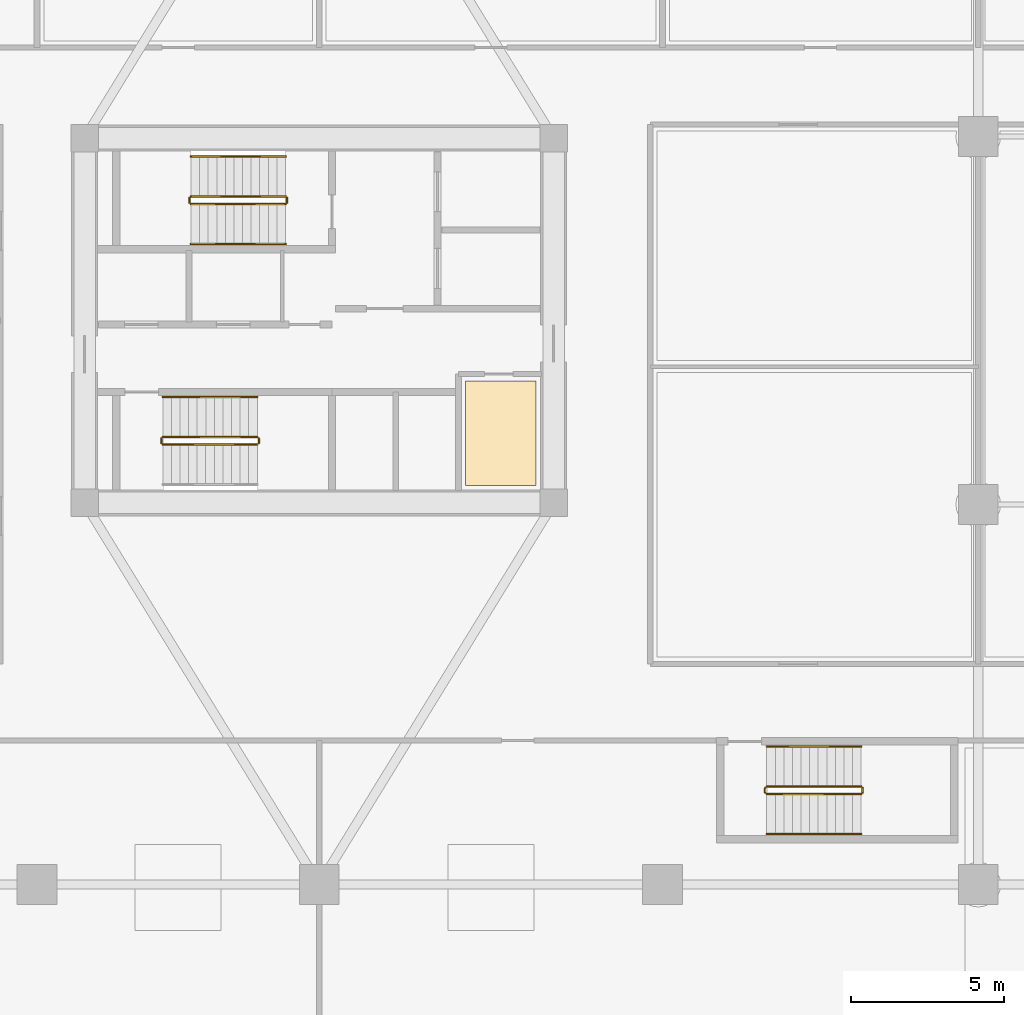
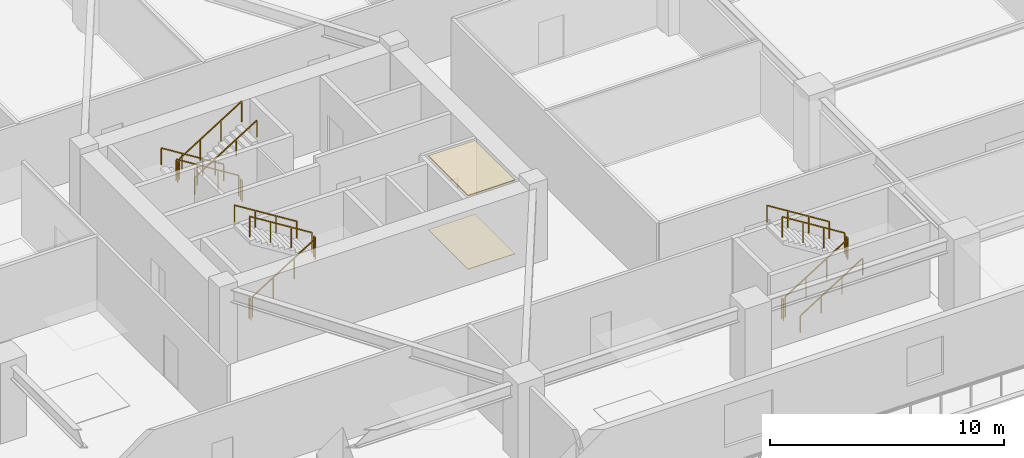
# One storey, part 14 of 22: 17 railings, 2 coverings.
"""IFC4 building model written with IfcOpenShell, lengths in metres."""

from ifc_helpers import new_model, si_unit, direction, frame, origin, origin_2d, place, context, subcontext, project, spatial, polyline, rectangle, outline, extrude, material, layer, layer_set, type_object, element, save


model = new_model("IFC4")

# Units and contexts
model_context = context("Model", 3, precision=1e-05, world=origin(), true_north=direction((0.0, 1.0)))
body_context = subcontext(model_context, "Body", "Model", "MODEL_VIEW")
ifc_project = project(units=[si_unit("LENGTHUNIT", "METRE"), si_unit("AREAUNIT", "SQUARE_METRE"), si_unit("VOLUMEUNIT", "CUBIC_METRE"), si_unit("PLANEANGLEUNIT", "RADIAN"), si_unit("MASSUNIT", "GRAM", prefix="KILO")], contexts=[model_context])

# Site, building, storey
site_placement = place(None, origin())
site = spatial("IfcSite", under=ifc_project, at=site_placement, CompositionType="ELEMENT")
building_placement = place(site_placement, origin())
building = spatial("IfcBuilding", under=site, at=building_placement, Name="Norrkilde Senior Care Towers", CompositionType="ELEMENT")
storey_placement = place(building_placement, frame((0.0, 0.0, 4.199951171875)))
storey = spatial("IfcBuildingStorey", under=building, at=storey_placement, Name="L01", CompositionType="ELEMENT", Elevation=4.199951171875)

# Coverings
ifc_material_1 = material(Name="Nordic Ash Timber", Category="wood")
ifc_layer_1 = layer(ifc_material_1, 0.044921875)
ifc_layer_set_1 = layer_set([ifc_layer_1], Name="Nordic Ash Timber")
covering_type_1 = type_object("IfcCoveringType", Name="Acoustic Ash Timber Slatted Ceiling 45", PredefinedType="CEILING", material=ifc_layer_set_1)
covering_1_placement = place(storey_placement, frame((0.0, 0.0, 3.8349609375)))
element("IfcCovering", 1, at=covering_1_placement, inside=storey, type_object=covering_type_1, Name="L01 Suspended Ceiling 0020", PredefinedType="CEILING", context=body_context, shape_type="SweptSolid", body=[
    extrude(outline(polyline([(-23.22998046875, -1.969970703125), (-20.919921875, -1.969970703125), (-20.919921875, -5.3798828125), (-23.22998046875, -5.3798828125), (-23.22998046875, -1.969970703125)])), origin(), (0.0, 0.0, 1.0), 0.045166015625),
])
ifc_material_2 = material(Name="Slip-Resistant Porcelain Stone", Category="masonry")
ifc_layer_2 = layer(ifc_material_2, 0.02490234375)
ifc_layer_set_2 = layer_set([ifc_layer_2], Name="Slip-Resistant Porcelain Stone")
covering_type_2 = type_object("IfcCoveringType", Name="Slip-Resistant Porcelain Flooring 25", PredefinedType="FLOORING", material=ifc_layer_set_2)
covering_2_placement = place(storey_placement, origin())
element("IfcCovering", 2, at=covering_2_placement, inside=storey, type_object=covering_type_2, Name="L01 Floor Finish 0020", PredefinedType="FLOORING", context=body_context, shape_type="SweptSolid", body=[
    extrude(outline(polyline([(-23.22998046875, -1.969970703125), (-20.919921875, -1.969970703125), (-20.919921875, -5.3798828125), (-23.22998046875, -5.3798828125), (-23.22998046875, -1.969970703125)])), origin(), (0.0, 0.0, 1.0), 0.025146484375),
])

# Railings
ifc_material_3 = material(Name="Stainless Steel", Category="steel")
railing_type_1 = type_object("IfcRailingType", Name="Stair and Terrace Guardrail 1100", PredefinedType="GUARDRAIL", material=ifc_material_3)
railing_1_placement = place(storey_placement, frame((-29.10009765625, 4.050048828125, 0.175048828125)))
element("IfcRailing", 3, at=railing_1_placement, inside=storey, type_object=railing_type_1, Name="L01 ST-W1 stair guard 1", PredefinedType="GUARDRAIL", context=body_context, shape_type="SweptSolid", body=[
    extrude(rectangle(XDim=0.048095703125, YDim=0.048095703125, at=origin_2d()), frame((0.0, 0.0, 1.076171875), z_axis=(-0.847979421464, 0.0, 0.530029150871), x_axis=(0.0, -1.0, 0.0)), (0.0, 0.0, 1.0), 3.632080078125),
    extrude(rectangle(XDim=0.0419921875, YDim=0.0419921875, at=origin_2d()), origin(), (0.0, 0.0, 1.0), 1.050048828125),
    extrude(rectangle(XDim=0.0419921875, YDim=0.0419921875, at=origin_2d()), frame((-1.026611328125, 0.0, 0.6416015625)), (0.0, 0.0, 1.0), 1.050048828125),
    extrude(rectangle(XDim=0.0419921875, YDim=0.0419921875, at=origin_2d()), frame((-2.05322265625, 0.0, 1.283447265625)), (0.0, 0.0, 1.0), 1.050048828125),
    extrude(rectangle(XDim=0.0419921875, YDim=0.0419921875, at=origin_2d()), frame((-3.079833984375, 0.0, 1.925048828125)), (0.0, 0.0, 1.0), 1.050048828125),
])
railing_2_placement = place(storey_placement, frame((-32.22998046875, 4.0, 2.10009765625)))
element("IfcRailing", 4, at=railing_2_placement, inside=storey, type_object=railing_type_1, Name="L01 ST-W1 stair guard 2", PredefinedType="GUARDRAIL", context=body_context, shape_type="SweptSolid", body=[
    extrude(rectangle(XDim=0.048095703125, YDim=0.048095703125, at=origin_2d()), frame((0.0, 0.0, 1.076171875), z_axis=(0.0, -1.0, 0.0), x_axis=(1.0, 0.0, 0.0)), (0.0, 0.0, 1.0), 0.14990234375),
    extrude(rectangle(XDim=0.0419921875, YDim=0.0419921875, at=origin_2d()), origin(), (0.0, 0.0, 1.0), 1.050048828125),
    extrude(rectangle(XDim=0.0419921875, YDim=0.0419921875, at=origin_2d()), frame((0.0, -0.14990234375, 0.0)), (0.0, 0.0, 1.0), 1.050048828125),
])
railing_3_placement = place(storey_placement, frame((-32.179931640625, 3.800048828125, 2.275146484375)))
element("IfcRailing", 5, at=railing_3_placement, inside=storey, type_object=railing_type_1, Name="L01 ST-W1 stair guard 3", PredefinedType="GUARDRAIL", context=body_context, shape_type="SweptSolid", body=[
    extrude(rectangle(XDim=0.048095703125, YDim=0.048095703125, at=origin_2d()), frame((0.0, 0.0, 1.076171875), z_axis=(0.848009633417, 0.0, 0.529980812513), x_axis=(0.0, 1.0, 0.0)), (0.0, 0.0, 1.0), 3.6318359375),
    extrude(rectangle(XDim=0.0419921875, YDim=0.0419921875, at=origin_2d()), origin(), (0.0, 0.0, 1.0), 1.050048828125),
    extrude(rectangle(XDim=0.0419921875, YDim=0.0419921875, at=origin_2d()), frame((1.026611328125, 0.0, 0.6416015625)), (0.0, 0.0, 1.0), 1.050048828125),
    extrude(rectangle(XDim=0.0419921875, YDim=0.0419921875, at=origin_2d()), frame((2.05322265625, 0.0, 1.283203125)), (0.0, 0.0, 1.0), 1.050048828125),
    extrude(rectangle(XDim=0.0419921875, YDim=0.0419921875, at=origin_2d()), frame((3.079833984375, 0.0, 1.9248046875)), (0.0, 0.0, 1.0), 1.050048828125),
])
railing_4_placement = place(storey_placement, frame((-29.050048828125, 4.0, 0.0)))
element("IfcRailing", 6, at=railing_4_placement, inside=storey, type_object=railing_type_1, Name="L01 ST-W1 stair guard 4", PredefinedType="GUARDRAIL", context=body_context, shape_type="SweptSolid", body=[
    extrude(rectangle(XDim=0.048095703125, YDim=0.048095703125, at=origin_2d()), frame((0.0, 0.0, 1.076171875), z_axis=(0.0, -1.0, 0.0), x_axis=(1.0, 0.0, 0.0)), (0.0, 0.0, 1.0), 0.14990234375),
    extrude(rectangle(XDim=0.0419921875, YDim=0.0419921875, at=origin_2d()), origin(), (0.0, 0.0, 1.0), 1.050048828125),
    extrude(rectangle(XDim=0.0419921875, YDim=0.0419921875, at=origin_2d()), frame((0.0, -0.14990234375, 0.0)), (0.0, 0.0, 1.0), 1.050048828125),
])
railing_5_placement = place(storey_placement, frame((-33.10009765625, -4.050048828125, 0.175048828125)))
element("IfcRailing", 7, at=railing_5_placement, inside=storey, type_object=railing_type_1, Name="L01 ST-W2 stair guard 1", PredefinedType="GUARDRAIL", context=body_context, shape_type="SweptSolid", body=[
    extrude(rectangle(XDim=0.048095703125, YDim=0.048095703125, at=origin_2d()), frame((0.0, 0.0, 1.076171875), z_axis=(0.847998304005, 0.0, 0.529998940003), x_axis=(0.0, 1.0, 0.0)), (0.0, 0.0, 1.0), 3.632080078125),
    extrude(rectangle(XDim=0.0419921875, YDim=0.0419921875, at=origin_2d()), origin(), (0.0, 0.0, 1.0), 1.050048828125),
    extrude(rectangle(XDim=0.0419921875, YDim=0.0419921875, at=origin_2d()), frame((1.026611328125, 0.0, 0.6416015625)), (0.0, 0.0, 1.0), 1.050048828125),
    extrude(rectangle(XDim=0.0419921875, YDim=0.0419921875, at=origin_2d()), frame((2.053466796875, 0.0, 1.283447265625)), (0.0, 0.0, 1.0), 1.050048828125),
    extrude(rectangle(XDim=0.0419921875, YDim=0.0419921875, at=origin_2d()), frame((3.080078125, 0.0, 1.925048828125)), (0.0, 0.0, 1.0), 1.050048828125),
])
railing_6_placement = place(storey_placement, frame((-29.969970703125, -4.0, 2.10009765625)))
element("IfcRailing", 8, at=railing_6_placement, inside=storey, type_object=railing_type_1, Name="L01 ST-W2 stair guard 2", PredefinedType="GUARDRAIL", context=body_context, shape_type="SweptSolid", body=[
    extrude(rectangle(XDim=0.048095703125, YDim=0.048095703125, at=origin_2d()), frame((0.0, 0.0, 1.076171875), z_axis=(0.0, 1.0, 0.0), x_axis=(-1.0, 0.0, 0.0)), (0.0, 0.0, 1.0), 0.14990234375),
    extrude(rectangle(XDim=0.0419921875, YDim=0.0419921875, at=origin_2d()), origin(), (0.0, 0.0, 1.0), 1.050048828125),
    extrude(rectangle(XDim=0.0419921875, YDim=0.0419921875, at=origin_2d()), frame((0.0, 0.14990234375, 0.0)), (0.0, 0.0, 1.0), 1.050048828125),
])
railing_7_placement = place(storey_placement, frame((-30.02001953125, -3.800048828125, 2.275146484375)))
element("IfcRailing", 9, at=railing_7_placement, inside=storey, type_object=railing_type_1, Name="L01 ST-W2 stair guard 3", PredefinedType="GUARDRAIL", context=body_context, shape_type="SweptSolid", body=[
    extrude(rectangle(XDim=0.048095703125, YDim=0.048095703125, at=origin_2d()), frame((0.0, 0.0, 1.076171875), z_axis=(-0.848028513186, 0.0, 0.529950602248), x_axis=(0.0, -1.0, 0.0)), (0.0, 0.0, 1.0), 3.632080078125),
    extrude(rectangle(XDim=0.0419921875, YDim=0.0419921875, at=origin_2d()), origin(), (0.0, 0.0, 1.0), 1.050048828125),
    extrude(rectangle(XDim=0.0419921875, YDim=0.0419921875, at=origin_2d()), frame((-1.026611328125, 0.0, 0.6416015625)), (0.0, 0.0, 1.0), 1.050048828125),
    extrude(rectangle(XDim=0.0419921875, YDim=0.0419921875, at=origin_2d()), frame((-2.053466796875, 0.0, 1.283203125)), (0.0, 0.0, 1.0), 1.050048828125),
    extrude(rectangle(XDim=0.0419921875, YDim=0.0419921875, at=origin_2d()), frame((-3.080078125, 0.0, 1.9248046875)), (0.0, 0.0, 1.0), 1.050048828125),
])
railing_8_placement = place(storey_placement, frame((-33.14990234375, -4.0, 0.0)))
element("IfcRailing", 10, at=railing_8_placement, inside=storey, type_object=railing_type_1, Name="L01 ST-W2 stair guard 4", PredefinedType="GUARDRAIL", context=body_context, shape_type="SweptSolid", body=[
    extrude(rectangle(XDim=0.048095703125, YDim=0.048095703125, at=origin_2d()), frame((0.0, 0.0, 1.076171875), z_axis=(0.0, 1.0, 0.0), x_axis=(-1.0, 0.0, 0.0)), (0.0, 0.0, 1.0), 0.14990234375),
    extrude(rectangle(XDim=0.0419921875, YDim=0.0419921875, at=origin_2d()), origin(), (0.0, 0.0, 1.0), 1.050048828125),
    extrude(rectangle(XDim=0.0419921875, YDim=0.0419921875, at=origin_2d()), frame((0.0, 0.14990234375, 0.0)), (0.0, 0.0, 1.0), 1.050048828125),
])
railing_9_placement = place(storey_placement, frame((-13.39990234375, -15.449951171875, 0.175048828125)))
element("IfcRailing", 11, at=railing_9_placement, inside=storey, type_object=railing_type_1, Name="L01 ST-P1 stair guard 1", PredefinedType="GUARDRAIL", context=body_context, shape_type="SweptSolid", body=[
    extrude(rectangle(XDim=0.048095703125, YDim=0.048095703125, at=origin_2d()), frame((0.0, 0.0, 1.076171875), z_axis=(0.847979421464, 0.0, 0.530029150871), x_axis=(0.0, 1.0, 0.0)), (0.0, 0.0, 1.0), 3.632080078125),
    extrude(rectangle(XDim=0.0419921875, YDim=0.0419921875, at=origin_2d()), origin(), (0.0, 0.0, 1.0), 1.050048828125),
    extrude(rectangle(XDim=0.0419921875, YDim=0.0419921875, at=origin_2d()), frame((1.026611328125, 0.0, 0.6416015625)), (0.0, 0.0, 1.0), 1.050048828125),
    extrude(rectangle(XDim=0.0419921875, YDim=0.0419921875, at=origin_2d()), frame((2.05322265625, 0.0, 1.283447265625)), (0.0, 0.0, 1.0), 1.050048828125),
    extrude(rectangle(XDim=0.0419921875, YDim=0.0419921875, at=origin_2d()), frame((3.079833984375, 0.0, 1.925048828125)), (0.0, 0.0, 1.0), 1.050048828125),
])
railing_10_placement = place(storey_placement, frame((-10.27001953125, -15.39990234375, 2.10009765625)))
element("IfcRailing", 12, at=railing_10_placement, inside=storey, type_object=railing_type_1, Name="L01 ST-P1 stair guard 2", PredefinedType="GUARDRAIL", context=body_context, shape_type="SweptSolid", body=[
    extrude(rectangle(XDim=0.048095703125, YDim=0.048095703125, at=origin_2d()), frame((0.0, 0.0, 1.076171875), z_axis=(0.0, 1.0, 0.0), x_axis=(-1.0, 0.0, 0.0)), (0.0, 0.0, 1.0), 0.14990234375),
    extrude(rectangle(XDim=0.0419921875, YDim=0.0419921875, at=origin_2d()), origin(), (0.0, 0.0, 1.0), 1.050048828125),
    extrude(rectangle(XDim=0.0419921875, YDim=0.0419921875, at=origin_2d()), frame((0.0, 0.14990234375, 0.0)), (0.0, 0.0, 1.0), 1.050048828125),
])
railing_11_placement = place(storey_placement, frame((-10.320068359375, -15.199951171875, 2.275146484375)))
element("IfcRailing", 13, at=railing_11_placement, inside=storey, type_object=railing_type_1, Name="L01 ST-P1 stair guard 3", PredefinedType="GUARDRAIL", context=body_context, shape_type="SweptSolid", body=[
    extrude(rectangle(XDim=0.048095703125, YDim=0.048095703125, at=origin_2d()), frame((0.0, 0.0, 1.076171875), z_axis=(-0.848009633417, 0.0, 0.529980812513), x_axis=(0.0, -1.0, 0.0)), (0.0, 0.0, 1.0), 3.6318359375),
    extrude(rectangle(XDim=0.0419921875, YDim=0.0419921875, at=origin_2d()), origin(), (0.0, 0.0, 1.0), 1.050048828125),
    extrude(rectangle(XDim=0.0419921875, YDim=0.0419921875, at=origin_2d()), frame((-1.026611328125, 0.0, 0.6416015625)), (0.0, 0.0, 1.0), 1.050048828125),
    extrude(rectangle(XDim=0.0419921875, YDim=0.0419921875, at=origin_2d()), frame((-2.05322265625, 0.0, 1.283203125)), (0.0, 0.0, 1.0), 1.050048828125),
    extrude(rectangle(XDim=0.0419921875, YDim=0.0419921875, at=origin_2d()), frame((-3.079833984375, 0.0, 1.9248046875)), (0.0, 0.0, 1.0), 1.050048828125),
])
railing_12_placement = place(storey_placement, frame((-13.449951171875, -15.39990234375, 0.0)))
element("IfcRailing", 14, at=railing_12_placement, inside=storey, type_object=railing_type_1, Name="L01 ST-P1 stair guard 4", PredefinedType="GUARDRAIL", context=body_context, shape_type="SweptSolid", body=[
    extrude(rectangle(XDim=0.048095703125, YDim=0.048095703125, at=origin_2d()), frame((0.0, 0.0, 1.076171875), z_axis=(0.0, 1.0, 0.0), x_axis=(-1.0, 0.0, 0.0)), (0.0, 0.0, 1.0), 0.14990234375),
    extrude(rectangle(XDim=0.0419921875, YDim=0.0419921875, at=origin_2d()), origin(), (0.0, 0.0, 1.0), 1.050048828125),
    extrude(rectangle(XDim=0.0419921875, YDim=0.0419921875, at=origin_2d()), frame((0.0, 0.14990234375, 0.0)), (0.0, 0.0, 1.0), 1.050048828125),
])
railing_type_2 = type_object("IfcRailingType", Name="Wall and Stair Handrail 900", PredefinedType="HANDRAIL", material=ifc_material_1)
railing_13_placement = place(storey_placement, frame((-29.10009765625, 5.35009765625, 0.175048828125)))
element("IfcRailing", 15, at=railing_13_placement, inside=storey, type_object=railing_type_2, Name="L01 ST-W1 stair handrail 1", PredefinedType="HANDRAIL", context=body_context, shape_type="SweptSolid", body=[
    extrude(rectangle(XDim=0.048095703125, YDim=0.048095703125, at=origin_2d()), frame((0.0, 0.0, 0.8759765625), z_axis=(-0.847979421464, 0.0, 0.530029150871), x_axis=(0.0, -1.0, 0.0)), (0.0, 0.0, 1.0), 3.632080078125),
    extrude(rectangle(XDim=0.0419921875, YDim=0.0419921875, at=origin_2d()), origin(), (0.0, 0.0, 1.0), 0.849853515625),
    extrude(rectangle(XDim=0.0419921875, YDim=0.0419921875, at=origin_2d()), frame((-1.026611328125, 0.0, 0.6416015625)), (0.0, 0.0, 1.0), 0.849853515625),
    extrude(rectangle(XDim=0.0419921875, YDim=0.0419921875, at=origin_2d()), frame((-2.05322265625, 0.0, 1.283447265625)), (0.0, 0.0, 1.0), 0.849853515625),
    extrude(rectangle(XDim=0.0419921875, YDim=0.0419921875, at=origin_2d()), frame((-3.079833984375, 0.0, 1.925048828125)), (0.0, 0.0, 1.0), 0.849853515625),
])
railing_14_placement = place(storey_placement, frame((-32.179931640625, 2.5, 2.275146484375)))
element("IfcRailing", 16, at=railing_14_placement, inside=storey, type_object=railing_type_2, Name="L01 ST-W1 stair handrail 2", PredefinedType="HANDRAIL", context=body_context, shape_type="SweptSolid", body=[
    extrude(rectangle(XDim=0.048095703125, YDim=0.048095703125, at=origin_2d()), frame((0.0, 0.0, 0.8759765625), z_axis=(0.848009633417, 0.0, 0.529980812513), x_axis=(0.0, 1.0, 0.0)), (0.0, 0.0, 1.0), 3.6318359375),
    extrude(rectangle(XDim=0.0419921875, YDim=0.0419921875, at=origin_2d()), origin(), (0.0, 0.0, 1.0), 0.849853515625),
    extrude(rectangle(XDim=0.0419921875, YDim=0.0419921875, at=origin_2d()), frame((1.026611328125, 0.0, 0.6416015625)), (0.0, 0.0, 1.0), 0.849853515625),
    extrude(rectangle(XDim=0.0419921875, YDim=0.0419921875, at=origin_2d()), frame((2.05322265625, 0.0, 1.283203125)), (0.0, 0.0, 1.0), 0.849853515625),
    extrude(rectangle(XDim=0.0419921875, YDim=0.0419921875, at=origin_2d()), frame((3.079833984375, 0.0, 1.9248046875)), (0.0, 0.0, 1.0), 0.849853515625),
])
railing_15_placement = place(storey_placement, frame((-30.02001953125, -2.5, 2.275146484375)))
element("IfcRailing", 17, at=railing_15_placement, inside=storey, type_object=railing_type_2, Name="L01 ST-W2 stair handrail 2", PredefinedType="HANDRAIL", context=body_context, shape_type="SweptSolid", body=[
    extrude(rectangle(XDim=0.048095703125, YDim=0.048095703125, at=origin_2d()), frame((0.0, 0.0, 0.8759765625), z_axis=(-0.848028513186, 0.0, 0.529950602248), x_axis=(0.0, -1.0, 0.0)), (0.0, 0.0, 1.0), 3.632080078125),
    extrude(rectangle(XDim=0.0419921875, YDim=0.0419921875, at=origin_2d()), origin(), (0.0, 0.0, 1.0), 0.849853515625),
    extrude(rectangle(XDim=0.0419921875, YDim=0.0419921875, at=origin_2d()), frame((-1.026611328125, 0.0, 0.6416015625)), (0.0, 0.0, 1.0), 0.849853515625),
    extrude(rectangle(XDim=0.0419921875, YDim=0.0419921875, at=origin_2d()), frame((-2.053466796875, 0.0, 1.283203125)), (0.0, 0.0, 1.0), 0.849853515625),
    extrude(rectangle(XDim=0.0419921875, YDim=0.0419921875, at=origin_2d()), frame((-3.080078125, 0.0, 1.9248046875)), (0.0, 0.0, 1.0), 0.849853515625),
])
railing_16_placement = place(storey_placement, frame((-13.39990234375, -16.75, 0.175048828125)))
element("IfcRailing", 18, at=railing_16_placement, inside=storey, type_object=railing_type_2, Name="L01 ST-P1 stair handrail 1", PredefinedType="HANDRAIL", context=body_context, shape_type="SweptSolid", body=[
    extrude(rectangle(XDim=0.048095703125, YDim=0.048095703125, at=origin_2d()), frame((0.0, 0.0, 0.8759765625), z_axis=(0.847979421464, 0.0, 0.530029150871), x_axis=(0.0, 1.0, 0.0)), (0.0, 0.0, 1.0), 3.632080078125),
    extrude(rectangle(XDim=0.0419921875, YDim=0.0419921875, at=origin_2d()), origin(), (0.0, 0.0, 1.0), 0.849853515625),
    extrude(rectangle(XDim=0.0419921875, YDim=0.0419921875, at=origin_2d()), frame((1.026611328125, 0.0, 0.6416015625)), (0.0, 0.0, 1.0), 0.849853515625),
    extrude(rectangle(XDim=0.0419921875, YDim=0.0419921875, at=origin_2d()), frame((2.05322265625, 0.0, 1.283447265625)), (0.0, 0.0, 1.0), 0.849853515625),
    extrude(rectangle(XDim=0.0419921875, YDim=0.0419921875, at=origin_2d()), frame((3.079833984375, 0.0, 1.925048828125)), (0.0, 0.0, 1.0), 0.849853515625),
])
railing_17_placement = place(storey_placement, frame((-10.320068359375, -13.89990234375, 2.275146484375)))
element("IfcRailing", 19, at=railing_17_placement, inside=storey, type_object=railing_type_2, Name="L01 ST-P1 stair handrail 2", PredefinedType="HANDRAIL", context=body_context, shape_type="SweptSolid", body=[
    extrude(rectangle(XDim=0.048095703125, YDim=0.048095703125, at=origin_2d()), frame((0.0, 0.0, 0.8759765625), z_axis=(-0.848009633417, 0.0, 0.529980812513), x_axis=(0.0, -1.0, 0.0)), (0.0, 0.0, 1.0), 3.6318359375),
    extrude(rectangle(XDim=0.0419921875, YDim=0.0419921875, at=origin_2d()), origin(), (0.0, 0.0, 1.0), 0.849853515625),
    extrude(rectangle(XDim=0.0419921875, YDim=0.0419921875, at=origin_2d()), frame((-1.026611328125, 0.0, 0.6416015625)), (0.0, 0.0, 1.0), 0.849853515625),
    extrude(rectangle(XDim=0.0419921875, YDim=0.0419921875, at=origin_2d()), frame((-2.05322265625, 0.0, 1.283203125)), (0.0, 0.0, 1.0), 0.849853515625),
    extrude(rectangle(XDim=0.0419921875, YDim=0.0419921875, at=origin_2d()), frame((-3.079833984375, 0.0, 1.9248046875)), (0.0, 0.0, 1.0), 0.849853515625),
])

save(model, "model.ifc")
